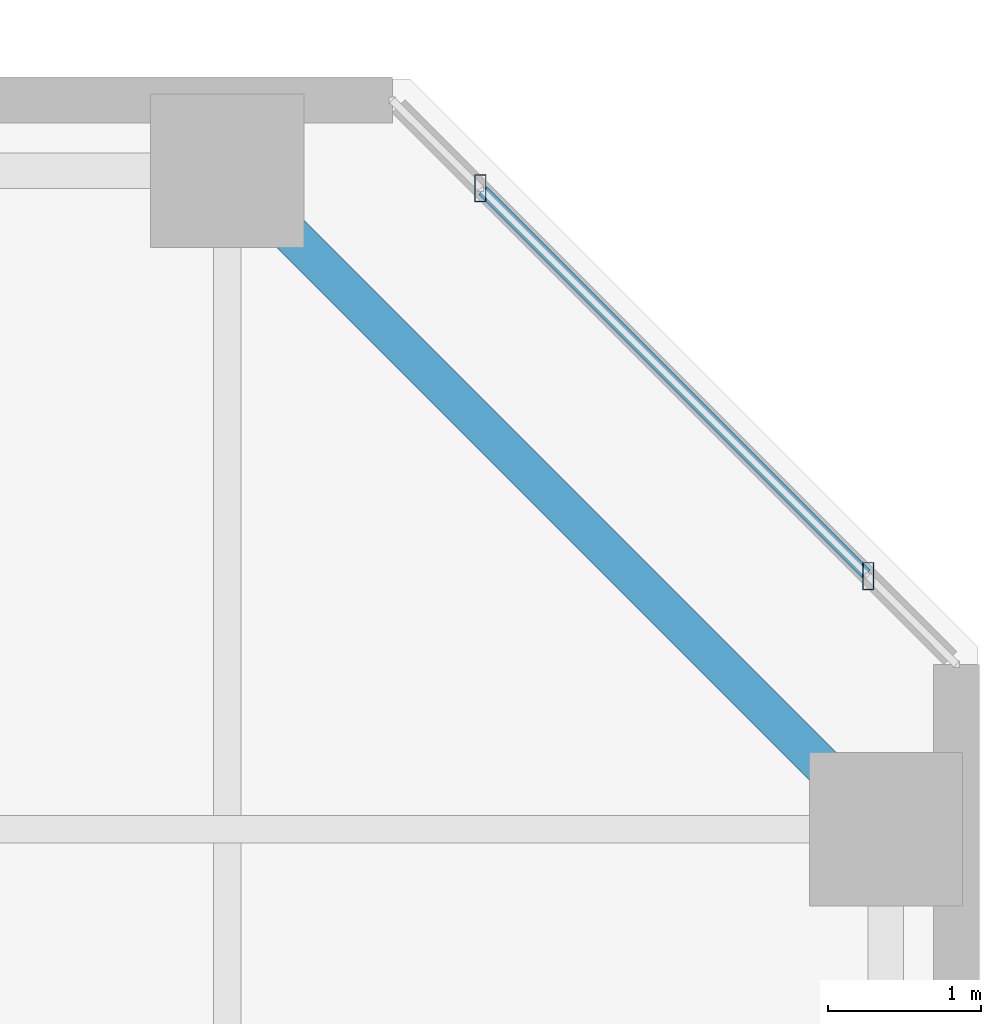
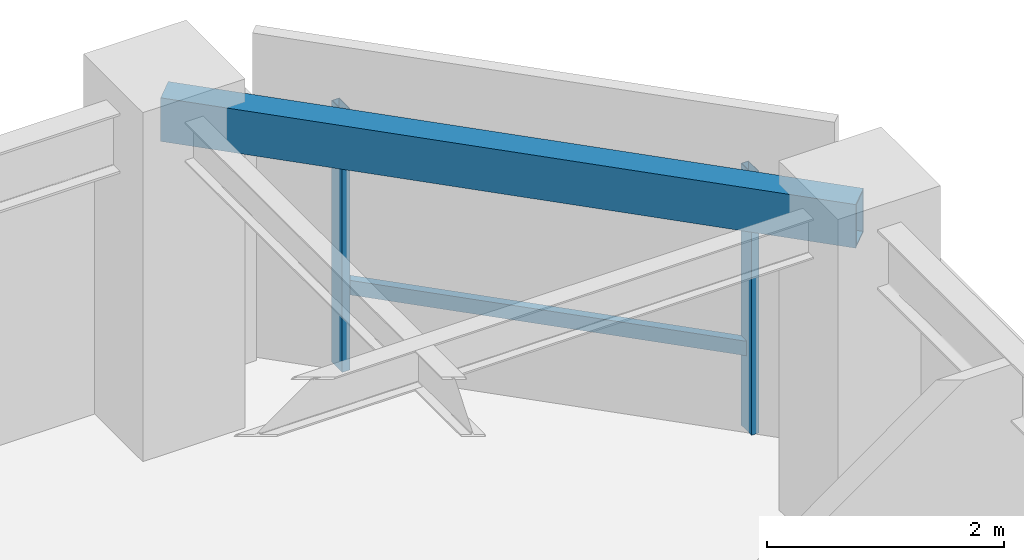
# One storey, part 17 of 33: 3 members, 1 beam, 1 element without a shape of its own.
"""IFC4 building model written with IfcOpenShell, lengths in metres."""

from ifc_helpers import new_model, si_unit, direction, frame, origin, origin_2d, place, context, subcontext, project, spatial, hollow_rectangle, extrude, material, material_profile, profile_set, type_object, element, aggregate, save


model = new_model("IFC4")

# Units and contexts
model_context = context("Model", 3, precision=1e-05, world=origin(), true_north=direction((0.0, 1.0)))
body_context = subcontext(model_context, "Body", "Model", "MODEL_VIEW")
ifc_project = project(units=[si_unit("LENGTHUNIT", "METRE"), si_unit("AREAUNIT", "SQUARE_METRE"), si_unit("VOLUMEUNIT", "CUBIC_METRE"), si_unit("PLANEANGLEUNIT", "RADIAN"), si_unit("MASSUNIT", "GRAM", prefix="KILO")], contexts=[model_context])

# Site, building, storey
site_placement = place(None, origin())
site = spatial("IfcSite", under=ifc_project, at=site_placement, CompositionType="ELEMENT")
building_placement = place(site_placement, origin())
building = spatial("IfcBuilding", under=site, at=building_placement, Name="Thornwick Lancets Civic Towers", CompositionType="ELEMENT")
storey_placement = place(building_placement, frame((0.0, 0.0, 207.300048828125)))
storey = spatial("IfcBuildingStorey", under=building, at=storey_placement, Name="L55", CompositionType="ELEMENT", Elevation=207.300048828125)

# Beam
ifc_material_1 = material(Name="Steel S355JR", Category="steel")
ifc_material_profile_1 = material_profile(ifc_material_1, hollow_rectangle(XDim=0.25, YDim=0.449951171875, WallThickness=0.01611328125, at=origin_2d()), Name="RHS 450x250x16")
ifc_profile_set_1 = profile_set([ifc_material_profile_1], Name="Steel S355JR")
beam_type = type_object("IfcBeamType", Name="BM_RING_RHS450", PredefinedType="BEAM", material=ifc_profile_set_1)
beam_placement = place(storey_placement, frame((105.800048828125, 40.0, 3.135009765625), z_axis=(-0.707106781187, 0.707106781187, 0.0), x_axis=(-0.707106781187, -0.707106781187, 0.0)))
element("IfcBeam", 1, at=beam_placement, inside=storey, type_object=beam_type, Name="BM-CHAMF-L55-B-C0", PredefinedType="BEAM", context=body_context, shape_type="SweptSolid", body=[
    extrude(hollow_rectangle(XDim=0.25, YDim=0.449951171875, WallThickness=0.01611328125, at=origin_2d()), origin(), (0.0, 0.0, 1.0), 6.081298828125),
])

# Curtain wall, members
ifc_material_2 = material(Name="High-zone chamfered-corner unitised glass curtain wall", Category="glass")
curtain_wall_type = type_object("IfcCurtainWallType", Name="CW_SYS_05", PredefinedType="NOTDEFINED", material=ifc_material_2)
curtain_wall_placement = place(storey_placement, origin())
curtain_wall = element("IfcCurtainWall", 2, at=curtain_wall_placement, inside=storey, type_object=curtain_wall_type, Name="L55 Curtain Wall CW-L55-B-E3", PredefinedType="NOTDEFINED")
ifc_material_3 = material(Name="Thermally broken bronze aluminium S355", Category="steel")
ifc_material_profile_2 = material_profile(ifc_material_3, hollow_rectangle(XDim=0.074951171875, YDim=0.179931640625, WallThickness=0.006103515625, at=origin_2d()), Name="RHS 180x75x6")
ifc_profile_set_2 = profile_set([ifc_material_profile_2], Name="Thermally broken bronze aluminium S355")
member_type_1 = type_object("IfcMemberType", Name="CW_MUL_180", PredefinedType="MULLION", material=ifc_profile_set_2)
member_1_placement = place(storey_placement, frame((105.685546875, 41.6533203125, 0.0), z_axis=(0.0, 0.0, 1.0), x_axis=(1.0, 0.0, 0.0)))
member_1 = element("IfcMember", 3, at=member_1_placement, type_object=member_type_1, Name="CW-L55-B-E3 Mullion 0", PredefinedType="MULLION", context=body_context, shape_type="SweptSolid", body=[
    extrude(hollow_rectangle(XDim=0.074951171875, YDim=0.179931640625, WallThickness=0.006103515625, at=origin_2d()), origin(), (0.0, 0.0, 1.0), 2.699951171875),
])
member_2_placement = place(storey_placement, frame((103.1533203125, 44.185546875, 0.0), z_axis=(0.0, 0.0, 1.0), x_axis=(1.0, 0.0, 0.0)))
member_2 = element("IfcMember", 4, at=member_2_placement, type_object=member_type_1, Name="CW-L55-B-E3 Mullion 1", PredefinedType="MULLION", context=body_context, shape_type="SweptSolid", body=[
    extrude(hollow_rectangle(XDim=0.074951171875, YDim=0.179931640625, WallThickness=0.006103515625, at=origin_2d()), origin(), (0.0, 0.0, 1.0), 2.699951171875),
])
ifc_material_profile_3 = material_profile(ifc_material_3, hollow_rectangle(XDim=0.074951171875, YDim=0.14990234375, WallThickness=0.0048828125, at=origin_2d()), Name="RHS 150x75x5")
ifc_profile_set_3 = profile_set([ifc_material_profile_3], Name="Thermally broken bronze aluminium S355")
member_type_2 = type_object("IfcMemberType", Name="CW_TRN_150", PredefinedType="USERDEFINED", material=ifc_profile_set_3)
member_3_placement = place(storey_placement, frame((105.67138671875, 41.66748046875, 0.849853515625), z_axis=(-0.707106781187, 0.707106781187, 0.0), x_axis=(-0.707106781187, -0.707106781187, 0.0)))
member_3 = element("IfcMember", 5, at=member_3_placement, type_object=member_type_2, Name="CW-L55-B-E3 Transom 0", ObjectType="TRANSOM", PredefinedType="USERDEFINED", context=body_context, shape_type="SweptSolid", body=[
    extrude(hollow_rectangle(XDim=0.074951171875, YDim=0.14990234375, WallThickness=0.0048828125, at=origin_2d()), origin(), (0.0, 0.0, 1.0), 3.541015625),
])
aggregate(curtain_wall, [member_1, member_2, member_3])

save(model, "model.ifc")
